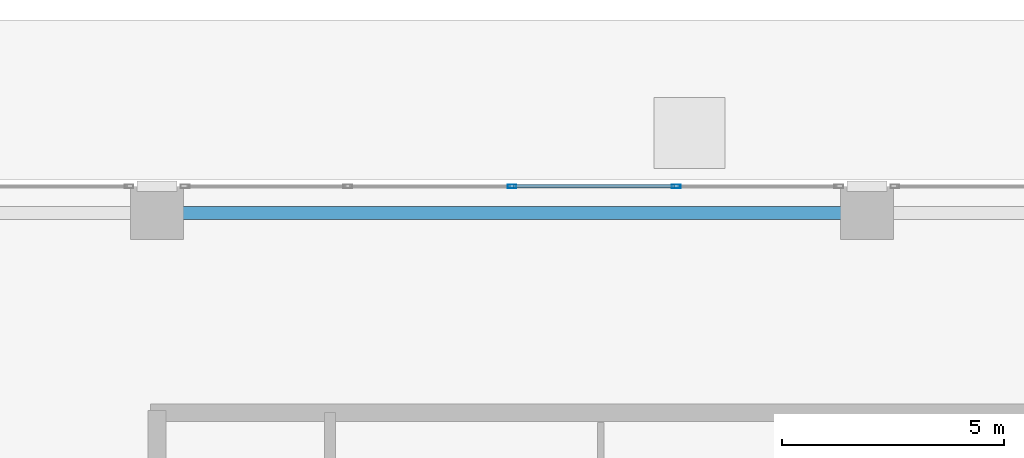
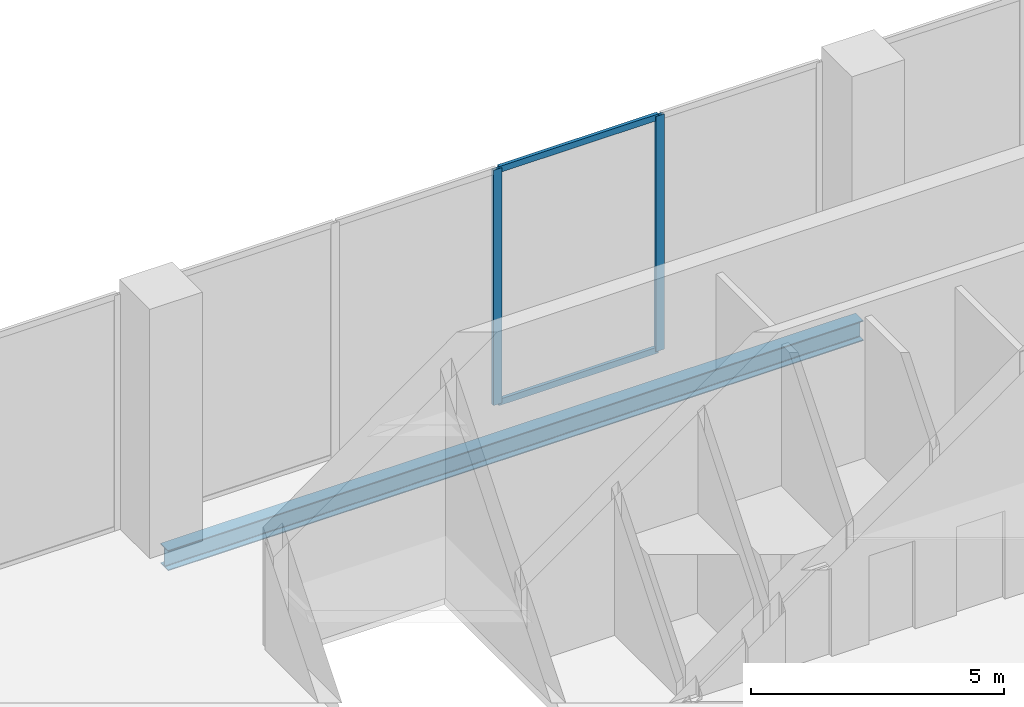
# One storey, part 10 of 26: 4 members, 1 beam, 1 element without a shape of its own.
"""IFC4 building model written with IfcOpenShell, lengths in metres."""

from ifc_helpers import new_model, si_unit, direction, frame, origin, origin_2d, place, context, subcontext, project, spatial, hollow_rectangle, i_section, extrude, material, layer, layer_set, material_profile, profile_set, type_object, element, aggregate, save


model = new_model("IFC4")

# Units and contexts
model_context = context("Model", 3, precision=1e-05, world=origin(), true_north=direction((0.0, 1.0)))
body_context = subcontext(model_context, "Body", "Model", "MODEL_VIEW")
ifc_project = project(units=[si_unit("LENGTHUNIT", "METRE"), si_unit("AREAUNIT", "SQUARE_METRE"), si_unit("VOLUMEUNIT", "CUBIC_METRE"), si_unit("PLANEANGLEUNIT", "RADIAN"), si_unit("MASSUNIT", "GRAM", prefix="KILO")], contexts=[model_context])

# Site, building, storey
site_placement = place(None, origin())
site = spatial("IfcSite", under=ifc_project, at=site_placement, CompositionType="ELEMENT")
building_placement = place(site_placement, origin())
building = spatial("IfcBuilding", under=site, at=building_placement, Name="Catumbela Crestline Tower", CompositionType="ELEMENT")
storey_placement = place(building_placement, origin())
storey = spatial("IfcBuildingStorey", under=building, at=storey_placement, Name="L00", CompositionType="ELEMENT", Elevation=0.0)

# Curtain wall, members
ifc_material_1 = material(Name="Aluminium alloy AW-6060-T66", Category="aluminium")
ifc_layer = layer(ifc_material_1, 0.18, Name="Aluminium alloy AW-6060-T66")
ifc_layer_set = layer_set([ifc_layer], Name="Aluminium alloy AW-6060-T66")
curtain_wall_type = type_object("IfcCurtainWallType", Name="CWS-POD", PredefinedType="USERDEFINED", material=ifc_layer_set)
curtain_wall_placement = place(storey_placement, origin())
curtain_wall = element("IfcCurtainWall", 1, at=curtain_wall_placement, inside=storey, type_object=curtain_wall_type, Name="L00 Stick Curtain Wall CW-L00-E7S4", ObjectType="STICK", PredefinedType="USERDEFINED")
ifc_material_profile_1 = material_profile(ifc_material_1, hollow_rectangle(XDim=0.075, YDim=0.2, WallThickness=0.005, at=origin_2d()), Name="ALU 200x75x5")
ifc_profile_set_1 = profile_set([ifc_material_profile_1], Name="Aluminium alloy AW-6060-T66")
member_type_1 = type_object("IfcMemberType", Name="MUL-200X75", PredefinedType="MULLION", material=ifc_profile_set_1)
member_1_placement = place(storey_placement, frame((27.7, 48.0, 0.0), z_axis=(0.0, 0.0, 1.0), x_axis=(0.0, -1.0, 0.0)))
member_1 = element("IfcMember", 2, at=member_1_placement, type_object=member_type_1, Name="CWS-POD mullion 2", PredefinedType="MULLION", context=body_context, shape_type="SweptSolid", body=[
    extrude(hollow_rectangle(XDim=0.075, YDim=0.2, WallThickness=0.005, at=origin_2d()), origin(), (0.0, 0.0, 1.0), 5.67),
])
member_2_placement = place(storey_placement, frame((24.0, 48.0, 0.0), z_axis=(0.0, 0.0, 1.0), x_axis=(0.0, -1.0, 0.0)))
member_2 = element("IfcMember", 3, at=member_2_placement, type_object=member_type_1, Name="CWS-POD mullion 3", PredefinedType="MULLION", context=body_context, shape_type="SweptSolid", body=[
    extrude(hollow_rectangle(XDim=0.075, YDim=0.2, WallThickness=0.005, at=origin_2d()), origin(), (0.0, 0.0, 1.0), 5.67),
])

# Beam
ifc_material_2 = material(Name="Structural steel S355J2", Category="steel")
ifc_material_profile_2 = material_profile(ifc_material_2, i_section(OverallWidth=0.3, OverallDepth=0.49, WebThickness=0.012, FlangeThickness=0.023, FilletRadius=0.027, at=origin_2d()), Name="HEA 500")
ifc_profile_set_2 = profile_set([ifc_material_profile_2], Name="Structural steel S355J2")
beam_type = type_object("IfcBeamType", Name="BS-HEA500", PredefinedType="SPANDREL", material=ifc_profile_set_2)
beam_placement = place(storey_placement, frame((16.08, 47.4, -0.565), z_axis=(1.0, 0.0, 0.0), x_axis=(0.0, 1.0, 0.0)))
element("IfcBeam", 4, at=beam_placement, inside=storey, type_object=beam_type, Name="L00 Spandrel SP-L00-NF19", PredefinedType="SPANDREL", context=body_context, shape_type="SweptSolid", body=[
    extrude(i_section(OverallWidth=0.3, OverallDepth=0.49, WebThickness=0.012, FlangeThickness=0.023, FilletRadius=0.027, at=origin_2d()), origin(), (0.0, 0.0, 1.0), 15.84),
])

# Member
ifc_material_profile_3 = material_profile(ifc_material_1, hollow_rectangle(XDim=0.075, YDim=0.15, WallThickness=0.0045, at=origin_2d()), Name="ALU 150x75x4.5")
ifc_profile_set_3 = profile_set([ifc_material_profile_3], Name="Aluminium alloy AW-6060-T66")
member_type_2 = type_object("IfcMemberType", Name="TRN-150X75", PredefinedType="USERDEFINED", material=ifc_profile_set_3)
member_3_placement = place(storey_placement, frame((27.6675, 48.0, 0.03), z_axis=(-1.0, 0.0, 0.0), x_axis=(0.0, -1.0, 0.0)))
member_3 = element("IfcMember", 5, at=member_3_placement, type_object=member_type_2, Name="CWS-POD transom 2.1", ObjectType="TRANSOM", PredefinedType="USERDEFINED", context=body_context, shape_type="SweptSolid", body=[
    extrude(hollow_rectangle(XDim=0.075, YDim=0.15, WallThickness=0.0045, at=origin_2d()), origin(), (0.0, 0.0, 1.0), 3.635),
])

member_4_placement = place(storey_placement, frame((27.6675, 48.0, 5.64), z_axis=(-1.0, 0.0, 0.0), x_axis=(0.0, -1.0, 0.0)))
member_4 = element("IfcMember", 6, at=member_4_placement, type_object=member_type_2, Name="CWS-POD transom 2.2", ObjectType="TRANSOM", PredefinedType="USERDEFINED", context=body_context, shape_type="SweptSolid", body=[
    extrude(hollow_rectangle(XDim=0.075, YDim=0.15, WallThickness=0.0045, at=origin_2d()), origin(), (0.0, 0.0, 1.0), 3.635),
])

aggregate(curtain_wall, [member_1, member_2, member_3, member_4])

save(model, "model.ifc")
